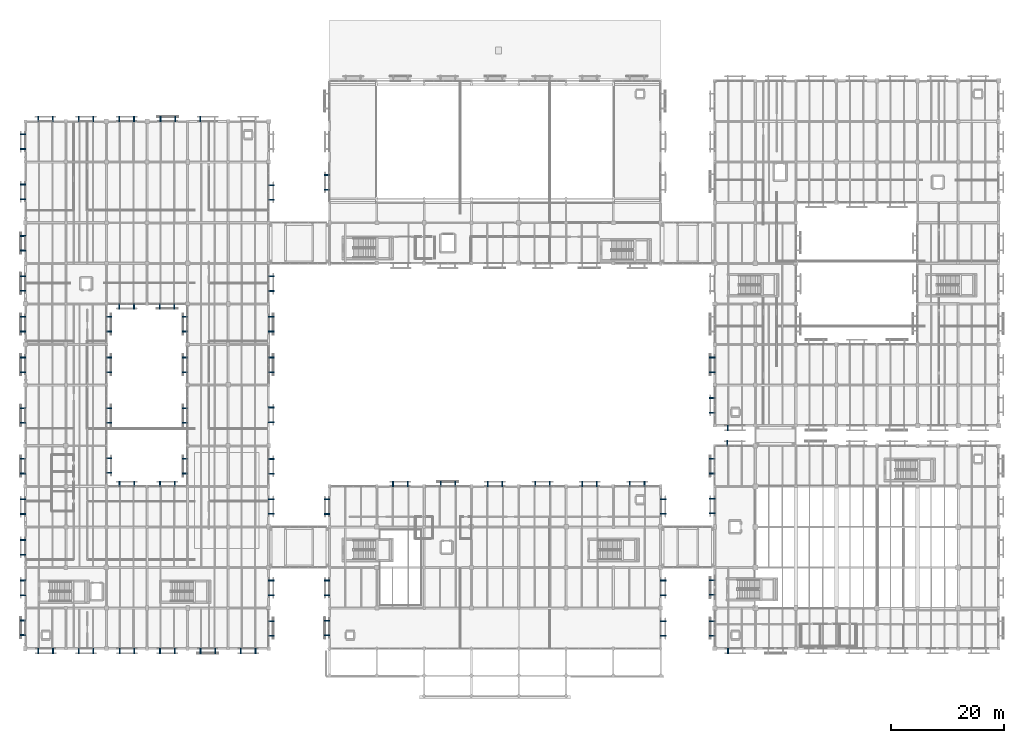
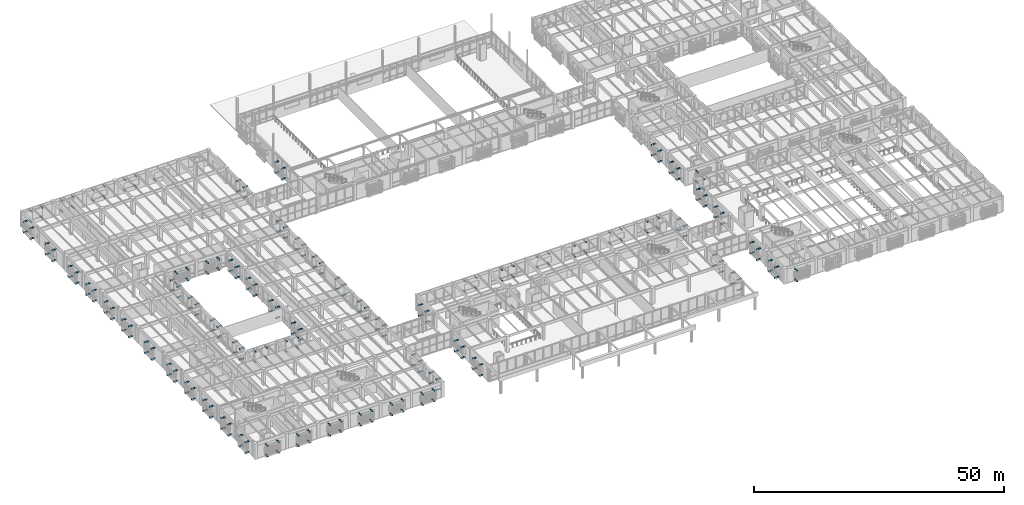
# One storey, part 142 of 170: 255 discrete accessories.
"""IFC4 building model written with IfcOpenShell, lengths in metres."""

from ifc_helpers import new_model, si_unit, direction, frame, origin, origin_2d, place, context, subcontext, project, spatial, rectangle, extrude, material, type_object, element, save


model = new_model("IFC4")

# Units and contexts
model_context = context("Model", 3, precision=1e-05, world=origin(), true_north=direction((0.0, 1.0)))
body_context = subcontext(model_context, "Body", "Model", "MODEL_VIEW")
ifc_project = project(units=[si_unit("LENGTHUNIT", "METRE"), si_unit("AREAUNIT", "SQUARE_METRE"), si_unit("VOLUMEUNIT", "CUBIC_METRE"), si_unit("PLANEANGLEUNIT", "RADIAN"), si_unit("MASSUNIT", "GRAM", prefix="KILO")], contexts=[model_context])

# Site, building, storey
site_placement = place(None, origin())
site = spatial("IfcSite", under=ifc_project, at=site_placement, CompositionType="ELEMENT")
building_placement = place(site_placement, origin())
building = spatial("IfcBuilding", under=site, at=building_placement, Name="Mazaris Harbour Polytechnic", CompositionType="ELEMENT")
storey_placement = place(building_placement, frame((0.0, 0.0, 5.39990234375)))
storey = spatial("IfcBuildingStorey", under=building, at=storey_placement, Name="L01", CompositionType="ELEMENT", Elevation=5.39990234375)

# Discrete accessories
ifc_material = material(Name="Stainless Steel S355", Category="steel")
discrete_accessory_type = type_object("IfcDiscreteAccessoryType", Name="Stainless Screen Outrigger Bracket 200x1020x200", PredefinedType="BRACKET", material=ifc_material)
for number, where, z_axis, x_axis, name in (
    (1, (53.56005859375, 88.694091796875, 0.16015625), (0.0, 0.0, 1.0), (0.0, 1.0, 0.0), "Screen Outrigger Bracket 69"),
    (2, (53.56005859375, 88.694091796875, 2.740234375), (0.0, 0.0, 1.0), (0.0, 1.0, 0.0), "Screen Outrigger Bracket 70"),
    (3, (53.56005859375, 91.285888671875, 0.16015625), (0.0, 0.0, 1.0), (0.0, 1.0, 0.0), "Screen Outrigger Bracket 71"),
    (4, (53.56005859375, 91.285888671875, 2.740234375), (0.0, 0.0, 1.0), (0.0, 1.0, 0.0), "Screen Outrigger Bracket 72"),
    (5, (124.75390625, 6.760009765625, 0.16015625), (0.0, 0.0, 1.0), (-1.0, 0.0, 0.0), "Screen Outrigger Bracket 179"),
    (6, (124.75390625, 6.760009765625, 2.740234375), (0.0, 0.0, 1.0), (-1.0, 0.0, 0.0), "Screen Outrigger Bracket 180"),
    (7, (124.62890625, 43.639892578125, 0.16015625), (0.0, 0.0, 1.0), (1.0, 0.0, 0.0), "Screen Outrigger Bracket 205"),
    (8, (124.62890625, 43.639892578125, 2.740234375), (0.0, 0.0, 1.0), (1.0, 0.0, 0.0), "Screen Outrigger Bracket 206"),
    (9, (121.9599609375, 9.491455078125, 0.16015625), (0.0, 0.0, 1.0), (0.0, 1.0, 0.0), "Screen Outrigger Bracket 229"),
    (10, (121.9599609375, 9.491455078125, 2.68994140625), (0.0, 0.0, 1.0), (0.0, 1.0, 0.0), "Screen Outrigger Bracket 230"),
    (11, (121.9599609375, 12.08349609375, 0.16015625), (0.0, 0.0, 1.0), (0.0, 1.0, 0.0), "Screen Outrigger Bracket 231"),
    (12, (121.9599609375, 12.08349609375, 2.68994140625), (0.0, 0.0, 1.0), (0.0, 1.0, 0.0), "Screen Outrigger Bracket 232"),
    (13, (121.9599609375, 16.72900390625, 0.16015625), (0.0, 0.0, 1.0), (0.0, 1.0, 0.0), "Screen Outrigger Bracket 233"),
    (14, (121.9599609375, 16.72900390625, 2.740234375), (0.0, 0.0, 1.0), (0.0, 1.0, 0.0), "Screen Outrigger Bracket 234"),
    (15, (121.9599609375, 19.321044921875, 0.16015625), (0.0, 0.0, 1.0), (0.0, 1.0, 0.0), "Screen Outrigger Bracket 235"),
    (16, (121.9599609375, 19.321044921875, 2.740234375), (0.0, 0.0, 1.0), (0.0, 1.0, 0.0), "Screen Outrigger Bracket 236"),
    (17, (121.9599609375, 31.2041015625, 0.16015625), (0.0, 0.0, 1.0), (0.0, 1.0, 0.0), "Screen Outrigger Bracket 237"),
    (18, (121.9599609375, 31.2041015625, 2.68994140625), (0.0, 0.0, 1.0), (0.0, 1.0, 0.0), "Screen Outrigger Bracket 238"),
    (19, (121.9599609375, 33.7958984375, 0.16015625), (0.0, 0.0, 1.0), (0.0, 1.0, 0.0), "Screen Outrigger Bracket 239"),
    (20, (121.9599609375, 33.7958984375, 2.68994140625), (0.0, 0.0, 1.0), (0.0, 1.0, 0.0), "Screen Outrigger Bracket 240"),
    (21, (121.9599609375, 38.29150390625, 0.16015625), (0.0, 0.0, 1.0), (0.0, 1.0, 0.0), "Screen Outrigger Bracket 241"),
    (22, (121.9599609375, 38.29150390625, 2.68994140625), (0.0, 0.0, 1.0), (0.0, 1.0, 0.0), "Screen Outrigger Bracket 242"),
    (23, (121.9599609375, 40.883544921875, 0.16015625), (0.0, 0.0, 1.0), (0.0, 1.0, 0.0), "Screen Outrigger Bracket 243"),
    (24, (121.9599609375, 40.883544921875, 2.68994140625), (0.0, 0.0, 1.0), (0.0, 1.0, 0.0), "Screen Outrigger Bracket 244"),
    (25, (65.279052734375, 36.43994140625, 0.16015625), (0.0, 0.0, 1.0), (1.0, 0.0, 0.0), "Screen Outrigger Bracket 437"),
    (26, (65.279052734375, 36.43994140625, 2.740234375), (0.0, 0.0, 1.0), (1.0, 0.0, 0.0), "Screen Outrigger Bracket 438"),
    (27, (67.87109375, 36.43994140625, 0.16015625), (0.0, 0.0, 1.0), (1.0, 0.0, 0.0), "Screen Outrigger Bracket 439"),
    (28, (67.87109375, 36.43994140625, 2.740234375), (0.0, 0.0, 1.0), (1.0, 0.0, 0.0), "Screen Outrigger Bracket 440"),
    (29, (73.72900390625, 36.43994140625, 0.16015625), (0.0, 0.0, 1.0), (1.0, 0.0, 0.0), "Screen Outrigger Bracket 441"),
    (30, (73.72900390625, 36.43994140625, 2.740234375), (0.0, 0.0, 1.0), (1.0, 0.0, 0.0), "Screen Outrigger Bracket 442"),
    (31, (76.321044921875, 36.43994140625, 0.16015625), (0.0, 0.0, 1.0), (1.0, 0.0, 0.0), "Screen Outrigger Bracket 443"),
    (32, (76.321044921875, 36.43994140625, 2.740234375), (0.0, 0.0, 1.0), (1.0, 0.0, 0.0), "Screen Outrigger Bracket 444"),
    (33, (82.0791015625, 36.43994140625, 0.16015625), (0.0, 0.0, 1.0), (1.0, 0.0, 0.0), "Screen Outrigger Bracket 445"),
    (34, (82.0791015625, 36.43994140625, 2.740234375), (0.0, 0.0, 1.0), (1.0, 0.0, 0.0), "Screen Outrigger Bracket 446"),
    (35, (84.6708984375, 36.43994140625, 0.16015625), (0.0, 0.0, 1.0), (1.0, 0.0, 0.0), "Screen Outrigger Bracket 447"),
    (36, (84.6708984375, 36.43994140625, 2.740234375), (0.0, 0.0, 1.0), (1.0, 0.0, 0.0), "Screen Outrigger Bracket 448"),
    (37, (90.529052734375, 36.43994140625, 0.16015625), (0.0, 0.0, 1.0), (1.0, 0.0, 0.0), "Screen Outrigger Bracket 449"),
    (38, (90.529052734375, 36.43994140625, 2.740234375), (0.0, 0.0, 1.0), (1.0, 0.0, 0.0), "Screen Outrigger Bracket 450"),
    (39, (93.12109375, 36.43994140625, 0.16015625), (0.0, 0.0, 1.0), (1.0, 0.0, 0.0), "Screen Outrigger Bracket 451"),
    (40, (93.12109375, 36.43994140625, 2.740234375), (0.0, 0.0, 1.0), (1.0, 0.0, 0.0), "Screen Outrigger Bracket 452"),
    (41, (98.87890625, 36.43994140625, 0.16015625), (0.0, 0.0, 1.0), (1.0, 0.0, 0.0), "Screen Outrigger Bracket 453"),
    (42, (98.87890625, 36.43994140625, 2.740234375), (0.0, 0.0, 1.0), (1.0, 0.0, 0.0), "Screen Outrigger Bracket 454"),
    (43, (101.470947265625, 36.43994140625, 0.16015625), (0.0, 0.0, 1.0), (1.0, 0.0, 0.0), "Screen Outrigger Bracket 455"),
    (44, (101.470947265625, 36.43994140625, 2.740234375), (0.0, 0.0, 1.0), (1.0, 0.0, 0.0), "Screen Outrigger Bracket 456"),
    (45, (107.3291015625, 36.43994140625, 0.16015625), (0.0, 0.0, 1.0), (1.0, 0.0, 0.0), "Screen Outrigger Bracket 457"),
    (46, (107.3291015625, 36.43994140625, 2.740234375), (0.0, 0.0, 1.0), (1.0, 0.0, 0.0), "Screen Outrigger Bracket 458"),
    (47, (109.9208984375, 36.43994140625, 0.16015625), (0.0, 0.0, 1.0), (1.0, 0.0, 0.0), "Screen Outrigger Bracket 459"),
    (48, (109.9208984375, 36.43994140625, 2.740234375), (0.0, 0.0, 1.0), (1.0, 0.0, 0.0), "Screen Outrigger Bracket 460"),
    (49, (53.56005859375, 9.553955078125, 0.16015625), (0.0, 0.0, 1.0), (0.0, 1.0, 0.0), "Screen Outrigger Bracket 461"),
    (50, (53.56005859375, 9.553955078125, 2.740234375), (0.0, 0.0, 1.0), (0.0, 1.0, 0.0), "Screen Outrigger Bracket 462"),
    (51, (53.56005859375, 12.14599609375, 0.16015625), (0.0, 0.0, 1.0), (0.0, 1.0, 0.0), "Screen Outrigger Bracket 463"),
    (52, (53.56005859375, 12.14599609375, 2.740234375), (0.0, 0.0, 1.0), (0.0, 1.0, 0.0), "Screen Outrigger Bracket 464"),
    (53, (53.56005859375, 16.69140625, 0.16015625), (0.0, 0.0, 1.0), (0.0, 1.0, 0.0), "Screen Outrigger Bracket 465"),
    (54, (53.56005859375, 16.69140625, 2.740234375), (0.0, 0.0, 1.0), (0.0, 1.0, 0.0), "Screen Outrigger Bracket 466"),
    (55, (53.56005859375, 19.283447265625, 0.16015625), (0.0, 0.0, 1.0), (0.0, 1.0, 0.0), "Screen Outrigger Bracket 467"),
    (56, (53.56005859375, 19.283447265625, 2.740234375), (0.0, 0.0, 1.0), (0.0, 1.0, 0.0), "Screen Outrigger Bracket 468"),
    (57, (53.56005859375, 31.091552734375, 0.16015625), (0.0, 0.0, 1.0), (0.0, 1.0, 0.0), "Screen Outrigger Bracket 469"),
    (58, (53.56005859375, 31.091552734375, 2.740234375), (0.0, 0.0, 1.0), (0.0, 1.0, 0.0), "Screen Outrigger Bracket 470"),
    (59, (53.56005859375, 33.68359375, 0.16015625), (0.0, 0.0, 1.0), (0.0, 1.0, 0.0), "Screen Outrigger Bracket 471"),
    (60, (53.56005859375, 33.68359375, 2.740234375), (0.0, 0.0, 1.0), (0.0, 1.0, 0.0), "Screen Outrigger Bracket 472"),
    (61, (113.239990234375, 12.05859375, 0.16015625), (0.0, 0.0, 1.0), (0.0, -1.0, 0.0), "Screen Outrigger Bracket 473"),
    (62, (113.239990234375, 12.05859375, 2.740234375), (0.0, 0.0, 1.0), (0.0, -1.0, 0.0), "Screen Outrigger Bracket 474"),
    (63, (113.239990234375, 9.466552734375, 0.16015625), (0.0, 0.0, 1.0), (0.0, -1.0, 0.0), "Screen Outrigger Bracket 475"),
    (64, (113.239990234375, 9.466552734375, 2.740234375), (0.0, 0.0, 1.0), (0.0, -1.0, 0.0), "Screen Outrigger Bracket 476"),
    (65, (113.239990234375, 19.283447265625, 0.16015625), (0.0, 0.0, 1.0), (0.0, -1.0, 0.0), "Screen Outrigger Bracket 477"),
    (66, (113.239990234375, 19.283447265625, 2.740234375), (0.0, 0.0, 1.0), (0.0, -1.0, 0.0), "Screen Outrigger Bracket 478"),
    (67, (113.239990234375, 16.69140625, 0.16015625), (0.0, 0.0, 1.0), (0.0, -1.0, 0.0), "Screen Outrigger Bracket 479"),
    (68, (113.239990234375, 16.69140625, 2.740234375), (0.0, 0.0, 1.0), (0.0, -1.0, 0.0), "Screen Outrigger Bracket 480"),
    (69, (113.239990234375, 33.720947265625, 0.16015625), (0.0, 0.0, 1.0), (0.0, -1.0, 0.0), "Screen Outrigger Bracket 481"),
    (70, (113.239990234375, 33.720947265625, 2.740234375), (0.0, 0.0, 1.0), (0.0, -1.0, 0.0), "Screen Outrigger Bracket 482"),
    (71, (113.239990234375, 31.12890625, 0.16015625), (0.0, 0.0, 1.0), (0.0, -1.0, 0.0), "Screen Outrigger Bracket 483"),
    (72, (113.239990234375, 31.12890625, 2.740234375), (0.0, 0.0, 1.0), (0.0, -1.0, 0.0), "Screen Outrigger Bracket 484"),
    (73, (4.908447265625, 6.760009765625, 0.16015625), (0.0, 0.0, 1.0), (-1.0, 0.0, 0.0), "Screen Outrigger Bracket 617"),
    (74, (4.908447265625, 6.760009765625, 2.72998046875), (0.0, 0.0, 1.0), (-1.0, 0.0, 0.0), "Screen Outrigger Bracket 618"),
    (75, (2.31640625, 6.760009765625, 0.16015625), (0.0, 0.0, 1.0), (-1.0, 0.0, 0.0), "Screen Outrigger Bracket 619"),
    (76, (2.31640625, 6.760009765625, 2.72998046875), (0.0, 0.0, 1.0), (-1.0, 0.0, 0.0), "Screen Outrigger Bracket 620"),
    (77, (12.05859375, 6.760009765625, 0.16015625), (0.0, 0.0, 1.0), (-1.0, 0.0, 0.0), "Screen Outrigger Bracket 621"),
    (78, (12.05859375, 6.760009765625, 2.740234375), (0.0, 0.0, 1.0), (-1.0, 0.0, 0.0), "Screen Outrigger Bracket 622"),
    (79, (9.466552734375, 6.760009765625, 0.16015625), (0.0, 0.0, 1.0), (-1.0, 0.0, 0.0), "Screen Outrigger Bracket 623"),
    (80, (9.466552734375, 6.760009765625, 2.740234375), (0.0, 0.0, 1.0), (-1.0, 0.0, 0.0), "Screen Outrigger Bracket 624"),
    (81, (19.345947265625, 6.760009765625, 0.16015625), (0.0, 0.0, 1.0), (-1.0, 0.0, 0.0), "Screen Outrigger Bracket 625"),
    (82, (19.345947265625, 6.760009765625, 2.740234375), (0.0, 0.0, 1.0), (-1.0, 0.0, 0.0), "Screen Outrigger Bracket 626"),
    (83, (16.75390625, 6.760009765625, 0.16015625), (0.0, 0.0, 1.0), (-1.0, 0.0, 0.0), "Screen Outrigger Bracket 627"),
    (84, (16.75390625, 6.760009765625, 2.740234375), (0.0, 0.0, 1.0), (-1.0, 0.0, 0.0), "Screen Outrigger Bracket 628"),
    (85, (26.49609375, 6.760009765625, 0.16015625), (0.0, 0.0, 1.0), (-1.0, 0.0, 0.0), "Screen Outrigger Bracket 629"),
    (86, (26.49609375, 6.760009765625, 2.740234375), (0.0, 0.0, 1.0), (-1.0, 0.0, 0.0), "Screen Outrigger Bracket 630"),
    (87, (23.904052734375, 6.760009765625, 0.16015625), (0.0, 0.0, 1.0), (-1.0, 0.0, 0.0), "Screen Outrigger Bracket 631"),
    (88, (23.904052734375, 6.760009765625, 2.740234375), (0.0, 0.0, 1.0), (-1.0, 0.0, 0.0), "Screen Outrigger Bracket 632"),
    (89, (33.696044921875, 6.760009765625, 0.16015625), (0.0, 0.0, 1.0), (-1.0, 0.0, 0.0), "Screen Outrigger Bracket 633"),
    (90, (33.696044921875, 6.760009765625, 2.740234375), (0.0, 0.0, 1.0), (-1.0, 0.0, 0.0), "Screen Outrigger Bracket 634"),
    (91, (31.10400390625, 6.760009765625, 0.16015625), (0.0, 0.0, 1.0), (-1.0, 0.0, 0.0), "Screen Outrigger Bracket 635"),
    (92, (31.10400390625, 6.760009765625, 2.740234375), (0.0, 0.0, 1.0), (-1.0, 0.0, 0.0), "Screen Outrigger Bracket 636"),
    (93, (40.8583984375, 6.760009765625, 0.16015625), (0.0, 0.0, 1.0), (-1.0, 0.0, 0.0), "Screen Outrigger Bracket 637"),
    (94, (40.8583984375, 6.760009765625, 2.72998046875), (0.0, 0.0, 1.0), (-1.0, 0.0, 0.0), "Screen Outrigger Bracket 638"),
    (95, (38.2666015625, 6.760009765625, 0.16015625), (0.0, 0.0, 1.0), (-1.0, 0.0, 0.0), "Screen Outrigger Bracket 639"),
    (96, (38.2666015625, 6.760009765625, 2.72998046875), (0.0, 0.0, 1.0), (-1.0, 0.0, 0.0), "Screen Outrigger Bracket 640"),
    (97, (2.2666015625, 101.239990234375, 0.16015625), (0.0, 0.0, 1.0), (1.0, 0.0, 0.0), "Screen Outrigger Bracket 641"),
    (98, (2.2666015625, 101.239990234375, 2.740234375), (0.0, 0.0, 1.0), (1.0, 0.0, 0.0), "Screen Outrigger Bracket 642"),
    (99, (4.8583984375, 101.239990234375, 0.16015625), (0.0, 0.0, 1.0), (1.0, 0.0, 0.0), "Screen Outrigger Bracket 643"),
    (100, (4.8583984375, 101.239990234375, 2.740234375), (0.0, 0.0, 1.0), (1.0, 0.0, 0.0), "Screen Outrigger Bracket 644"),
    (101, (9.466552734375, 101.239990234375, 0.16015625), (0.0, 0.0, 1.0), (1.0, 0.0, 0.0), "Screen Outrigger Bracket 645"),
    (102, (9.466552734375, 101.239990234375, 2.740234375), (0.0, 0.0, 1.0), (1.0, 0.0, 0.0), "Screen Outrigger Bracket 646"),
    (103, (12.05859375, 101.239990234375, 0.16015625), (0.0, 0.0, 1.0), (1.0, 0.0, 0.0), "Screen Outrigger Bracket 647"),
    (104, (12.05859375, 101.239990234375, 2.740234375), (0.0, 0.0, 1.0), (1.0, 0.0, 0.0), "Screen Outrigger Bracket 648"),
    (105, (16.7041015625, 101.239990234375, 0.16015625), (0.0, 0.0, 1.0), (1.0, 0.0, 0.0), "Screen Outrigger Bracket 649"),
    (106, (16.7041015625, 101.239990234375, 2.740234375), (0.0, 0.0, 1.0), (1.0, 0.0, 0.0), "Screen Outrigger Bracket 650"),
    (107, (19.2958984375, 101.239990234375, 0.16015625), (0.0, 0.0, 1.0), (1.0, 0.0, 0.0), "Screen Outrigger Bracket 651"),
    (108, (19.2958984375, 101.239990234375, 2.740234375), (0.0, 0.0, 1.0), (1.0, 0.0, 0.0), "Screen Outrigger Bracket 652"),
    (109, (23.991455078125, 101.239990234375, 0.16015625), (0.0, 0.0, 1.0), (1.0, 0.0, 0.0), "Screen Outrigger Bracket 653"),
    (110, (23.991455078125, 101.239990234375, 2.740234375), (0.0, 0.0, 1.0), (1.0, 0.0, 0.0), "Screen Outrigger Bracket 654"),
    (111, (26.58349609375, 101.239990234375, 0.16015625), (0.0, 0.0, 1.0), (1.0, 0.0, 0.0), "Screen Outrigger Bracket 655"),
    (112, (26.58349609375, 101.239990234375, 2.740234375), (0.0, 0.0, 1.0), (1.0, 0.0, 0.0), "Screen Outrigger Bracket 656"),
    (113, (31.06640625, 101.239990234375, 0.16015625), (0.0, 0.0, 1.0), (1.0, 0.0, 0.0), "Screen Outrigger Bracket 657"),
    (114, (-0.43994140625, 9.60400390625, 0.16015625), (0.0, 0.0, 1.0), (0.0, 1.0, 0.0), "Screen Outrigger Bracket 665"),
    (115, (-0.43994140625, 9.60400390625, 2.740234375), (0.0, 0.0, 1.0), (0.0, 1.0, 0.0), "Screen Outrigger Bracket 666"),
    (116, (-0.43994140625, 12.196044921875, 0.16015625), (0.0, 0.0, 1.0), (0.0, 1.0, 0.0), "Screen Outrigger Bracket 667"),
    (117, (-0.43994140625, 12.196044921875, 2.740234375), (0.0, 0.0, 1.0), (0.0, 1.0, 0.0), "Screen Outrigger Bracket 668"),
    (118, (-0.43994140625, 16.69140625, 0.16015625), (0.0, 0.0, 1.0), (0.0, 1.0, 0.0), "Screen Outrigger Bracket 669"),
    (119, (-0.43994140625, 16.69140625, 2.740234375), (0.0, 0.0, 1.0), (0.0, 1.0, 0.0), "Screen Outrigger Bracket 670"),
    (120, (-0.43994140625, 19.283447265625, 0.16015625), (0.0, 0.0, 1.0), (0.0, 1.0, 0.0), "Screen Outrigger Bracket 671"),
    (121, (-0.43994140625, 19.283447265625, 2.740234375), (0.0, 0.0, 1.0), (0.0, 1.0, 0.0), "Screen Outrigger Bracket 672"),
    (122, (-0.43994140625, 23.8916015625, 0.16015625), (0.0, 0.0, 1.0), (0.0, 1.0, 0.0), "Screen Outrigger Bracket 673"),
    (123, (-0.43994140625, 23.8916015625, 2.740234375), (0.0, 0.0, 1.0), (0.0, 1.0, 0.0), "Screen Outrigger Bracket 674"),
    (124, (-0.43994140625, 26.4833984375, 0.16015625), (0.0, 0.0, 1.0), (0.0, 1.0, 0.0), "Screen Outrigger Bracket 675"),
    (125, (-0.43994140625, 26.4833984375, 2.740234375), (0.0, 0.0, 1.0), (0.0, 1.0, 0.0), "Screen Outrigger Bracket 676"),
    (126, (-0.43994140625, 31.091552734375, 0.16015625), (0.0, 0.0, 1.0), (0.0, 1.0, 0.0), "Screen Outrigger Bracket 677"),
    (127, (-0.43994140625, 31.091552734375, 2.72998046875), (0.0, 0.0, 1.0), (0.0, 1.0, 0.0), "Screen Outrigger Bracket 678"),
    (128, (-0.43994140625, 33.68359375, 0.16015625), (0.0, 0.0, 1.0), (0.0, 1.0, 0.0), "Screen Outrigger Bracket 679"),
    (129, (-0.43994140625, 33.68359375, 2.72998046875), (0.0, 0.0, 1.0), (0.0, 1.0, 0.0), "Screen Outrigger Bracket 680"),
    (130, (-0.43994140625, 38.29150390625, 0.16015625), (0.0, 0.0, 1.0), (0.0, 1.0, 0.0), "Screen Outrigger Bracket 681"),
    (131, (-0.43994140625, 38.29150390625, 2.740234375), (0.0, 0.0, 1.0), (0.0, 1.0, 0.0), "Screen Outrigger Bracket 682"),
    (132, (-0.43994140625, 40.883544921875, 0.16015625), (0.0, 0.0, 1.0), (0.0, 1.0, 0.0), "Screen Outrigger Bracket 683"),
    (133, (-0.43994140625, 40.883544921875, 2.740234375), (0.0, 0.0, 1.0), (0.0, 1.0, 0.0), "Screen Outrigger Bracket 684"),
    (134, (-0.43994140625, 47.29150390625, 0.16015625), (0.0, 0.0, 1.0), (0.0, 1.0, 0.0), "Screen Outrigger Bracket 685"),
    (135, (-0.43994140625, 47.29150390625, 2.740234375), (0.0, 0.0, 1.0), (0.0, 1.0, 0.0), "Screen Outrigger Bracket 686"),
    (136, (-0.43994140625, 49.883544921875, 0.16015625), (0.0, 0.0, 1.0), (0.0, 1.0, 0.0), "Screen Outrigger Bracket 687"),
    (137, (-0.43994140625, 49.883544921875, 2.740234375), (0.0, 0.0, 1.0), (0.0, 1.0, 0.0), "Screen Outrigger Bracket 688"),
    (138, (-0.43994140625, 56.29150390625, 0.16015625), (0.0, 0.0, 1.0), (0.0, 1.0, 0.0), "Screen Outrigger Bracket 689"),
    (139, (-0.43994140625, 56.29150390625, 2.740234375), (0.0, 0.0, 1.0), (0.0, 1.0, 0.0), "Screen Outrigger Bracket 690"),
    (140, (-0.43994140625, 58.883544921875, 0.16015625), (0.0, 0.0, 1.0), (0.0, 1.0, 0.0), "Screen Outrigger Bracket 691"),
    (141, (-0.43994140625, 58.883544921875, 2.740234375), (0.0, 0.0, 1.0), (0.0, 1.0, 0.0), "Screen Outrigger Bracket 692"),
    (142, (-0.43994140625, 63.491455078125, 0.16015625), (0.0, 0.0, 1.0), (0.0, 1.0, 0.0), "Screen Outrigger Bracket 693"),
    (143, (-0.43994140625, 63.491455078125, 2.740234375), (0.0, 0.0, 1.0), (0.0, 1.0, 0.0), "Screen Outrigger Bracket 694"),
    (144, (-0.43994140625, 66.08349609375, 0.16015625), (0.0, 0.0, 1.0), (0.0, 1.0, 0.0), "Screen Outrigger Bracket 695"),
    (145, (-0.43994140625, 66.08349609375, 2.740234375), (0.0, 0.0, 1.0), (0.0, 1.0, 0.0), "Screen Outrigger Bracket 696"),
    (146, (-0.43994140625, 70.72900390625, 0.16015625), (0.0, 0.0, 1.0), (0.0, 1.0, 0.0), "Screen Outrigger Bracket 697"),
    (147, (-0.43994140625, 70.72900390625, 2.72998046875), (0.0, 0.0, 1.0), (0.0, 1.0, 0.0), "Screen Outrigger Bracket 698"),
    (148, (-0.43994140625, 73.321044921875, 0.16015625), (0.0, 0.0, 1.0), (0.0, 1.0, 0.0), "Screen Outrigger Bracket 699"),
    (149, (-0.43994140625, 73.321044921875, 2.72998046875), (0.0, 0.0, 1.0), (0.0, 1.0, 0.0), "Screen Outrigger Bracket 700"),
    (150, (-0.43994140625, 77.866455078125, 0.16015625), (0.0, 0.0, 1.0), (0.0, 1.0, 0.0), "Screen Outrigger Bracket 701"),
    (151, (-0.43994140625, 77.866455078125, 2.740234375), (0.0, 0.0, 1.0), (0.0, 1.0, 0.0), "Screen Outrigger Bracket 702"),
    (152, (-0.43994140625, 80.45849609375, 0.16015625), (0.0, 0.0, 1.0), (0.0, 1.0, 0.0), "Screen Outrigger Bracket 703"),
    (153, (-0.43994140625, 80.45849609375, 2.740234375), (0.0, 0.0, 1.0), (0.0, 1.0, 0.0), "Screen Outrigger Bracket 704"),
    (154, (-0.43994140625, 87.00390625, 0.16015625), (0.0, 0.0, 1.0), (0.0, 1.0, 0.0), "Screen Outrigger Bracket 705"),
    (155, (-0.43994140625, 87.00390625, 2.740234375), (0.0, 0.0, 1.0), (0.0, 1.0, 0.0), "Screen Outrigger Bracket 706"),
    (156, (-0.43994140625, 89.595947265625, 0.16015625), (0.0, 0.0, 1.0), (0.0, 1.0, 0.0), "Screen Outrigger Bracket 707"),
    (157, (-0.43994140625, 89.595947265625, 2.740234375), (0.0, 0.0, 1.0), (0.0, 1.0, 0.0), "Screen Outrigger Bracket 708"),
    (158, (-0.43994140625, 95.8916015625, 0.16015625), (0.0, 0.0, 1.0), (0.0, 1.0, 0.0), "Screen Outrigger Bracket 709"),
    (159, (-0.43994140625, 95.8916015625, 2.740234375), (0.0, 0.0, 1.0), (0.0, 1.0, 0.0), "Screen Outrigger Bracket 710"),
    (160, (-0.43994140625, 98.4833984375, 0.16015625), (0.0, 0.0, 1.0), (0.0, 1.0, 0.0), "Screen Outrigger Bracket 711"),
    (161, (-0.43994140625, 98.4833984375, 2.740234375), (0.0, 0.0, 1.0), (0.0, 1.0, 0.0), "Screen Outrigger Bracket 712"),
    (162, (43.639892578125, 12.08349609375, 0.16015625), (0.0, 0.0, 1.0), (0.0, -1.0, 0.0), "Screen Outrigger Bracket 713"),
    (163, (43.639892578125, 12.08349609375, 2.740234375), (0.0, 0.0, 1.0), (0.0, -1.0, 0.0), "Screen Outrigger Bracket 714"),
    (164, (43.639892578125, 9.491455078125, 0.16015625), (0.0, 0.0, 1.0), (0.0, -1.0, 0.0), "Screen Outrigger Bracket 715"),
    (165, (43.639892578125, 9.491455078125, 2.740234375), (0.0, 0.0, 1.0), (0.0, -1.0, 0.0), "Screen Outrigger Bracket 716"),
    (166, (43.639892578125, 19.283447265625, 0.16015625), (0.0, 0.0, 1.0), (0.0, -1.0, 0.0), "Screen Outrigger Bracket 717"),
    (167, (43.639892578125, 19.283447265625, 2.740234375), (0.0, 0.0, 1.0), (0.0, -1.0, 0.0), "Screen Outrigger Bracket 718"),
    (168, (43.639892578125, 16.69140625, 0.16015625), (0.0, 0.0, 1.0), (0.0, -1.0, 0.0), "Screen Outrigger Bracket 719"),
    (169, (43.639892578125, 16.69140625, 2.740234375), (0.0, 0.0, 1.0), (0.0, -1.0, 0.0), "Screen Outrigger Bracket 720"),
    (170, (43.639892578125, 33.720947265625, 0.16015625), (0.0, 0.0, 1.0), (0.0, -1.0, 0.0), "Screen Outrigger Bracket 721"),
    (171, (43.639892578125, 33.720947265625, 2.740234375), (0.0, 0.0, 1.0), (0.0, -1.0, 0.0), "Screen Outrigger Bracket 722"),
    (172, (43.639892578125, 31.12890625, 0.16015625), (0.0, 0.0, 1.0), (0.0, -1.0, 0.0), "Screen Outrigger Bracket 723"),
    (173, (43.639892578125, 31.12890625, 2.740234375), (0.0, 0.0, 1.0), (0.0, -1.0, 0.0), "Screen Outrigger Bracket 724"),
    (174, (43.639892578125, 40.8583984375, 0.16015625), (0.0, 0.0, 1.0), (0.0, -1.0, 0.0), "Screen Outrigger Bracket 725"),
    (175, (43.639892578125, 40.8583984375, 2.740234375), (0.0, 0.0, 1.0), (0.0, -1.0, 0.0), "Screen Outrigger Bracket 726"),
    (176, (43.639892578125, 38.2666015625, 0.16015625), (0.0, 0.0, 1.0), (0.0, -1.0, 0.0), "Screen Outrigger Bracket 727"),
    (177, (43.639892578125, 38.2666015625, 2.740234375), (0.0, 0.0, 1.0), (0.0, -1.0, 0.0), "Screen Outrigger Bracket 728"),
    (178, (43.639892578125, 49.99609375, 0.16015625), (0.0, 0.0, 1.0), (0.0, -1.0, 0.0), "Screen Outrigger Bracket 729"),
    (179, (43.639892578125, 49.99609375, 2.740234375), (0.0, 0.0, 1.0), (0.0, -1.0, 0.0), "Screen Outrigger Bracket 730"),
    (180, (43.639892578125, 47.404052734375, 0.16015625), (0.0, 0.0, 1.0), (0.0, -1.0, 0.0), "Screen Outrigger Bracket 731"),
    (181, (43.639892578125, 47.404052734375, 2.740234375), (0.0, 0.0, 1.0), (0.0, -1.0, 0.0), "Screen Outrigger Bracket 732"),
    (182, (43.639892578125, 58.883544921875, 0.16015625), (0.0, 0.0, 1.0), (0.0, -1.0, 0.0), "Screen Outrigger Bracket 733"),
    (183, (43.639892578125, 58.883544921875, 2.740234375), (0.0, 0.0, 1.0), (0.0, -1.0, 0.0), "Screen Outrigger Bracket 734"),
    (184, (43.639892578125, 56.29150390625, 0.16015625), (0.0, 0.0, 1.0), (0.0, -1.0, 0.0), "Screen Outrigger Bracket 735"),
    (185, (43.639892578125, 56.29150390625, 2.740234375), (0.0, 0.0, 1.0), (0.0, -1.0, 0.0), "Screen Outrigger Bracket 736"),
    (186, (43.639892578125, 66.08349609375, 0.16015625), (0.0, 0.0, 1.0), (0.0, -1.0, 0.0), "Screen Outrigger Bracket 737"),
    (187, (43.639892578125, 66.08349609375, 2.72998046875), (0.0, 0.0, 1.0), (0.0, -1.0, 0.0), "Screen Outrigger Bracket 738"),
    (188, (43.639892578125, 63.491455078125, 0.16015625), (0.0, 0.0, 1.0), (0.0, -1.0, 0.0), "Screen Outrigger Bracket 739"),
    (189, (43.639892578125, 63.491455078125, 2.72998046875), (0.0, 0.0, 1.0), (0.0, -1.0, 0.0), "Screen Outrigger Bracket 740"),
    (190, (43.639892578125, 73.283447265625, 0.16015625), (0.0, 0.0, 1.0), (0.0, -1.0, 0.0), "Screen Outrigger Bracket 741"),
    (191, (43.639892578125, 73.283447265625, 2.72998046875), (0.0, 0.0, 1.0), (0.0, -1.0, 0.0), "Screen Outrigger Bracket 742"),
    (192, (43.639892578125, 70.69140625, 0.16015625), (0.0, 0.0, 1.0), (0.0, -1.0, 0.0), "Screen Outrigger Bracket 743"),
    (193, (43.639892578125, 70.69140625, 2.72998046875), (0.0, 0.0, 1.0), (0.0, -1.0, 0.0), "Screen Outrigger Bracket 744"),
    (194, (43.639892578125, 89.4833984375, 0.16015625), (0.0, 0.0, 1.0), (0.0, -1.0, 0.0), "Screen Outrigger Bracket 745"),
    (195, (43.639892578125, 89.4833984375, 2.72998046875), (0.0, 0.0, 1.0), (0.0, -1.0, 0.0), "Screen Outrigger Bracket 746"),
    (196, (43.639892578125, 86.8916015625, 0.16015625), (0.0, 0.0, 1.0), (0.0, -1.0, 0.0), "Screen Outrigger Bracket 747"),
    (197, (43.639892578125, 86.8916015625, 2.72998046875), (0.0, 0.0, 1.0), (0.0, -1.0, 0.0), "Screen Outrigger Bracket 748"),
    (198, (16.716552734375, 36.43994140625, 0.16015625), (0.0, 0.0, 1.0), (1.0, 0.0, 0.0), "Screen Outrigger Bracket 753"),
    (199, (16.716552734375, 36.43994140625, 2.740234375), (0.0, 0.0, 1.0), (1.0, 0.0, 0.0), "Screen Outrigger Bracket 754"),
    (200, (19.30859375, 36.43994140625, 0.16015625), (0.0, 0.0, 1.0), (1.0, 0.0, 0.0), "Screen Outrigger Bracket 755"),
    (201, (19.30859375, 36.43994140625, 2.740234375), (0.0, 0.0, 1.0), (1.0, 0.0, 0.0), "Screen Outrigger Bracket 756"),
    (202, (23.904052734375, 36.43994140625, 0.16015625), (0.0, 0.0, 1.0), (1.0, 0.0, 0.0), "Screen Outrigger Bracket 757"),
    (203, (23.904052734375, 36.43994140625, 2.740234375), (0.0, 0.0, 1.0), (1.0, 0.0, 0.0), "Screen Outrigger Bracket 758"),
    (204, (26.49609375, 36.43994140625, 0.16015625), (0.0, 0.0, 1.0), (1.0, 0.0, 0.0), "Screen Outrigger Bracket 759"),
    (205, (26.49609375, 36.43994140625, 2.740234375), (0.0, 0.0, 1.0), (1.0, 0.0, 0.0), "Screen Outrigger Bracket 760"),
    (206, (19.2958984375, 67.9599609375, 0.16015625), (0.0, 0.0, 1.0), (-1.0, 0.0, 0.0), "Screen Outrigger Bracket 761"),
    (207, (19.2958984375, 67.9599609375, 2.740234375), (0.0, 0.0, 1.0), (-1.0, 0.0, 0.0), "Screen Outrigger Bracket 762"),
    (208, (16.7041015625, 67.9599609375, 0.16015625), (0.0, 0.0, 1.0), (-1.0, 0.0, 0.0), "Screen Outrigger Bracket 763"),
    (209, (16.7041015625, 67.9599609375, 2.740234375), (0.0, 0.0, 1.0), (-1.0, 0.0, 0.0), "Screen Outrigger Bracket 764"),
    (210, (26.45849609375, 67.9599609375, 0.16015625), (0.0, 0.0, 1.0), (-1.0, 0.0, 0.0), "Screen Outrigger Bracket 765"),
    (211, (26.45849609375, 67.9599609375, 2.740234375), (0.0, 0.0, 1.0), (-1.0, 0.0, 0.0), "Screen Outrigger Bracket 766"),
    (212, (23.866455078125, 67.9599609375, 0.16015625), (0.0, 0.0, 1.0), (-1.0, 0.0, 0.0), "Screen Outrigger Bracket 767"),
    (213, (23.866455078125, 67.9599609375, 2.740234375), (0.0, 0.0, 1.0), (-1.0, 0.0, 0.0), "Screen Outrigger Bracket 768"),
    (214, (14.840087890625, 38.404052734375, 0.16015625), (0.0, 0.0, 1.0), (0.0, 1.0, 0.0), "Screen Outrigger Bracket 769"),
    (215, (14.840087890625, 38.404052734375, 2.740234375), (0.0, 0.0, 1.0), (0.0, 1.0, 0.0), "Screen Outrigger Bracket 770"),
    (216, (14.840087890625, 40.99609375, 0.16015625), (0.0, 0.0, 1.0), (0.0, 1.0, 0.0), "Screen Outrigger Bracket 771"),
    (217, (14.840087890625, 40.99609375, 2.740234375), (0.0, 0.0, 1.0), (0.0, 1.0, 0.0), "Screen Outrigger Bracket 772"),
    (218, (14.840087890625, 47.29150390625, 0.16015625), (0.0, 0.0, 1.0), (0.0, 1.0, 0.0), "Screen Outrigger Bracket 773"),
    (219, (14.840087890625, 47.29150390625, 2.740234375), (0.0, 0.0, 1.0), (0.0, 1.0, 0.0), "Screen Outrigger Bracket 774"),
    (220, (14.840087890625, 49.883544921875, 0.16015625), (0.0, 0.0, 1.0), (0.0, 1.0, 0.0), "Screen Outrigger Bracket 775"),
    (221, (14.840087890625, 49.883544921875, 2.740234375), (0.0, 0.0, 1.0), (0.0, 1.0, 0.0), "Screen Outrigger Bracket 776"),
    (222, (14.840087890625, 56.29150390625, 0.16015625), (0.0, 0.0, 1.0), (0.0, 1.0, 0.0), "Screen Outrigger Bracket 777"),
    (223, (14.840087890625, 56.29150390625, 2.740234375), (0.0, 0.0, 1.0), (0.0, 1.0, 0.0), "Screen Outrigger Bracket 778"),
    (224, (14.840087890625, 58.883544921875, 0.16015625), (0.0, 0.0, 1.0), (0.0, 1.0, 0.0), "Screen Outrigger Bracket 779"),
    (225, (14.840087890625, 58.883544921875, 2.740234375), (0.0, 0.0, 1.0), (0.0, 1.0, 0.0), "Screen Outrigger Bracket 780"),
    (226, (14.840087890625, 63.491455078125, 0.16015625), (0.0, 0.0, 1.0), (0.0, 1.0, 0.0), "Screen Outrigger Bracket 781"),
    (227, (14.840087890625, 63.491455078125, 2.740234375), (0.0, 0.0, 1.0), (0.0, 1.0, 0.0), "Screen Outrigger Bracket 782"),
    (228, (14.840087890625, 66.08349609375, 0.16015625), (0.0, 0.0, 1.0), (0.0, 1.0, 0.0), "Screen Outrigger Bracket 783"),
    (229, (14.840087890625, 66.08349609375, 2.740234375), (0.0, 0.0, 1.0), (0.0, 1.0, 0.0), "Screen Outrigger Bracket 784"),
    (230, (28.360107421875, 40.883544921875, 0.16015625), (0.0, 0.0, 1.0), (0.0, -1.0, 0.0), "Screen Outrigger Bracket 785"),
    (231, (28.360107421875, 40.883544921875, 2.740234375), (0.0, 0.0, 1.0), (0.0, -1.0, 0.0), "Screen Outrigger Bracket 786"),
    (232, (28.360107421875, 38.29150390625, 0.16015625), (0.0, 0.0, 1.0), (0.0, -1.0, 0.0), "Screen Outrigger Bracket 787"),
    (233, (28.360107421875, 38.29150390625, 2.740234375), (0.0, 0.0, 1.0), (0.0, -1.0, 0.0), "Screen Outrigger Bracket 788"),
    (234, (28.360107421875, 49.883544921875, 0.16015625), (0.0, 0.0, 1.0), (0.0, -1.0, 0.0), "Screen Outrigger Bracket 789"),
    (235, (28.360107421875, 49.883544921875, 2.740234375), (0.0, 0.0, 1.0), (0.0, -1.0, 0.0), "Screen Outrigger Bracket 790"),
    (236, (28.360107421875, 47.29150390625, 0.16015625), (0.0, 0.0, 1.0), (0.0, -1.0, 0.0), "Screen Outrigger Bracket 791"),
    (237, (28.360107421875, 47.29150390625, 2.740234375), (0.0, 0.0, 1.0), (0.0, -1.0, 0.0), "Screen Outrigger Bracket 792"),
    (238, (28.360107421875, 58.883544921875, 0.16015625), (0.0, 0.0, 1.0), (0.0, -1.0, 0.0), "Screen Outrigger Bracket 793"),
    (239, (28.360107421875, 58.883544921875, 2.740234375), (0.0, 0.0, 1.0), (0.0, -1.0, 0.0), "Screen Outrigger Bracket 794"),
    (240, (28.360107421875, 56.29150390625, 0.16015625), (0.0, 0.0, 1.0), (0.0, -1.0, 0.0), "Screen Outrigger Bracket 795"),
    (241, (28.360107421875, 56.29150390625, 2.740234375), (0.0, 0.0, 1.0), (0.0, -1.0, 0.0), "Screen Outrigger Bracket 796"),
    (242, (28.360107421875, 66.08349609375, 0.16015625), (0.0, 0.0, 1.0), (0.0, -1.0, 0.0), "Screen Outrigger Bracket 797"),
    (243, (28.360107421875, 66.08349609375, 2.740234375), (0.0, 0.0, 1.0), (0.0, -1.0, 0.0), "Screen Outrigger Bracket 798"),
    (244, (28.360107421875, 63.491455078125, 0.16015625), (0.0, 0.0, 1.0), (0.0, -1.0, 0.0), "Screen Outrigger Bracket 799"),
    (245, (28.360107421875, 63.491455078125, 2.740234375), (0.0, 0.0, 1.0), (0.0, -1.0, 0.0), "Screen Outrigger Bracket 800"),
    (246, (124.7041015625, 46.360107421875, 0.16015625), (0.0, 0.0, 1.0), (-1.0, 0.0, 0.0), "Screen Outrigger Bracket 1463"),
    (247, (124.7041015625, 46.360107421875, 2.740234375), (0.0, 0.0, 1.0), (-1.0, 0.0, 0.0), "Screen Outrigger Bracket 1464"),
    (248, (121.9599609375, 49.091552734375, 0.16015625), (0.0, 0.0, 1.0), (0.0, 1.0, 0.0), "Screen Outrigger Bracket 1513"),
    (249, (121.9599609375, 49.091552734375, 2.740234375), (0.0, 0.0, 1.0), (0.0, 1.0, 0.0), "Screen Outrigger Bracket 1514"),
    (250, (121.9599609375, 51.68359375, 0.16015625), (0.0, 0.0, 1.0), (0.0, 1.0, 0.0), "Screen Outrigger Bracket 1515"),
    (251, (121.9599609375, 51.68359375, 2.740234375), (0.0, 0.0, 1.0), (0.0, 1.0, 0.0), "Screen Outrigger Bracket 1516"),
    (252, (121.9599609375, 56.29150390625, 0.16015625), (0.0, 0.0, 1.0), (0.0, 1.0, 0.0), "Screen Outrigger Bracket 1517"),
    (253, (121.9599609375, 56.29150390625, 2.740234375), (0.0, 0.0, 1.0), (0.0, 1.0, 0.0), "Screen Outrigger Bracket 1518"),
    (254, (121.9599609375, 58.883544921875, 0.16015625), (0.0, 0.0, 1.0), (0.0, 1.0, 0.0), "Screen Outrigger Bracket 1519"),
    (255, (121.9599609375, 58.883544921875, 2.740234375), (0.0, 0.0, 1.0), (0.0, 1.0, 0.0), "Screen Outrigger Bracket 1520"),
):
    element("IfcDiscreteAccessory", number, at=place(storey_placement, frame(where, z_axis=z_axis, x_axis=x_axis)), inside=storey, type_object=discrete_accessory_type, Name=name, PredefinedType="BRACKET", context=body_context, shape_type="SweptSolid", body=[
        extrude(rectangle(XDim=0.199951171875, YDim=1.02001953125, at=origin_2d()), origin(), (0.0, 0.0, 1.0), 0.199951171875),
    ])

save(model, "model.ifc")
